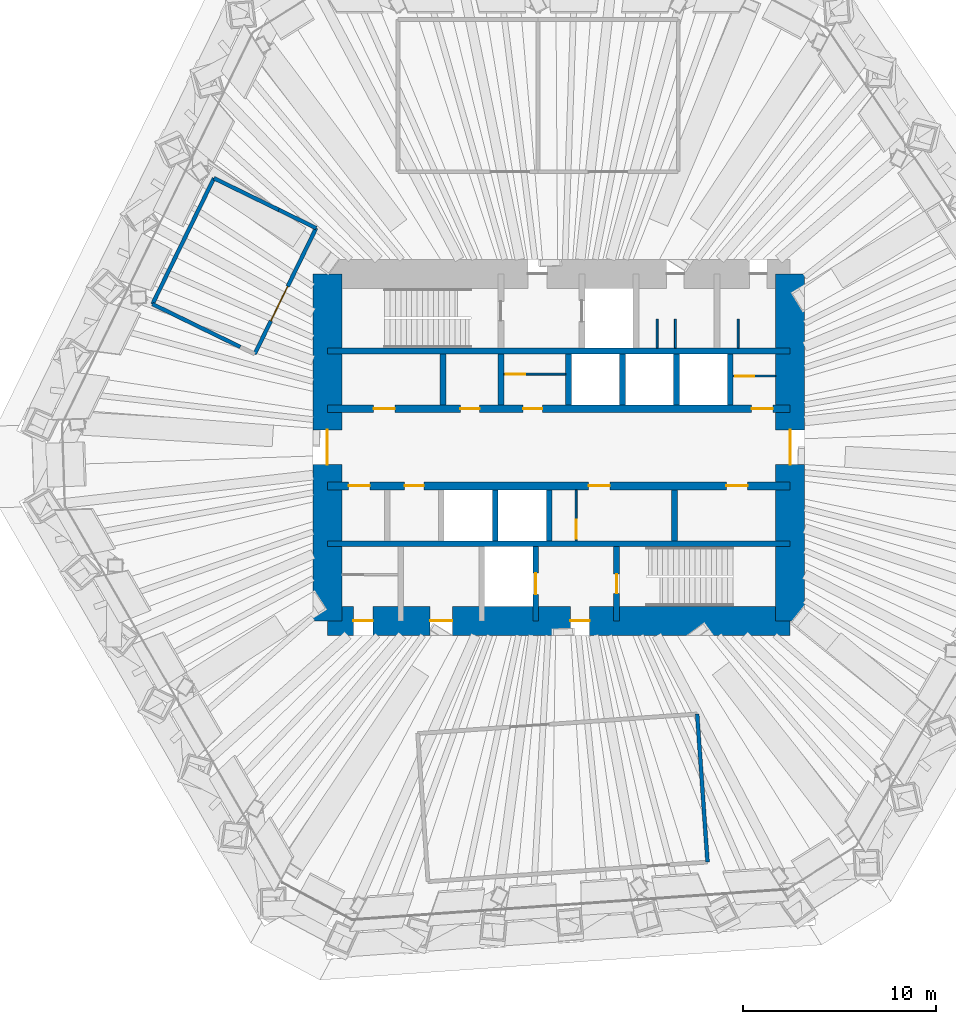
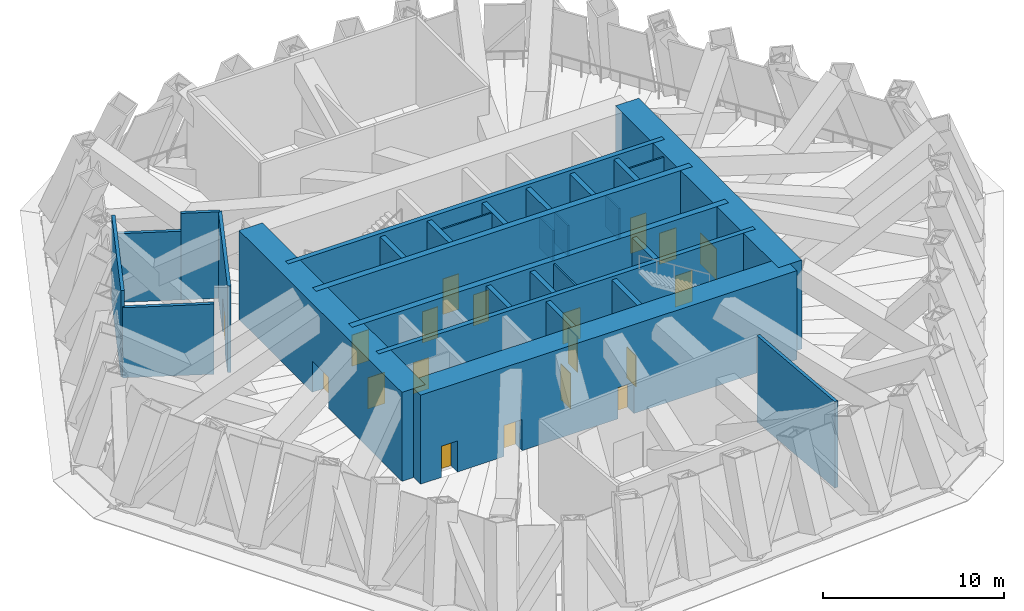
# One storey, part 7 of 12: 30 walls, 19 doors, 19 openings.
"""IFC4 building model written with IfcOpenShell, lengths in metres."""

from ifc_helpers import new_model, si_unit, direction, frame, frame_2d, origin, place, context, subcontext, project, spatial, rectangle, extrude, material, layer, layer_set, type_object, element, fill, save


model = new_model("IFC4")

# Units and contexts
model_context = context("Model", 3, precision=1e-05, world=origin(), true_north=direction((0.0, 1.0)))
body_context = subcontext(model_context, "Body", "Model", "MODEL_VIEW")
ifc_project = project(units=[si_unit("LENGTHUNIT", "METRE"), si_unit("AREAUNIT", "SQUARE_METRE"), si_unit("VOLUMEUNIT", "CUBIC_METRE"), si_unit("PLANEANGLEUNIT", "RADIAN"), si_unit("MASSUNIT", "GRAM", prefix="KILO")], contexts=[model_context])

# Site, building, storey
site_placement = place(None, origin())
site = spatial("IfcSite", under=ifc_project, at=site_placement, CompositionType="ELEMENT")
building_placement = place(site_placement, origin())
building = spatial("IfcBuilding", under=site, at=building_placement, Name="Qingtian Harvest Tower", CompositionType="ELEMENT")
storey_placement = place(building_placement, frame((0.0, 0.0, 174.39990234375)))
storey = spatial("IfcBuildingStorey", under=building, at=storey_placement, Name="L37", CompositionType="ELEMENT", Elevation=174.39990234375)

# Walls
ifc_material_1 = material(Name="Concrete fc' 70 MPa", Category="concrete")
ifc_layer_1 = layer(ifc_material_1, 0.300048828125)
ifc_layer_set_1 = layer_set([ifc_layer_1], Name="Core inner wall RC5 300")
wall_type_1 = type_object("IfcWallType", Name="Core inner wall RC5 300", PredefinedType="SHEAR", material=ifc_layer_set_1)
for number, where, z_axis, x_axis, name in (
    (1, (-12.0, 5.0, 0.0), (0.0, 0.0, 1.0), (1.0, 0.0, 0.0), "Core wall IN5 L37"),
    (2, (-12.0, -5.0, 0.0), (0.0, 0.0, 1.0), (1.0, 0.0, 0.0), "Core wall IS5 L37"),
):
    element("IfcWall", number, at=place(storey_placement, frame(where, z_axis=z_axis, x_axis=x_axis)), inside=storey, type_object=wall_type_1, Name=name, PredefinedType="SHEAR", context=body_context, shape_type="SweptSolid", body=[
        extrude(rectangle(XDim=24.0, YDim=0.300048828125, at=frame_2d((12.0, 0.0))), origin(), (0.0, 0.0, 1.0), 6.0),
    ])

# Wall, openings, doors
ifc_material_2 = material(Name="Concrete fc' 70 MPa", Category="concrete")
ifc_layer_2 = layer(ifc_material_2, 0.39990234375)
ifc_layer_set_2 = layer_set([ifc_layer_2], Name="Core inner web RC6 400")
wall_type_2 = type_object("IfcWallType", Name="Core inner web RC6 400", PredefinedType="SHEAR", material=ifc_layer_set_2)
wall_1_placement = place(storey_placement, frame((-12.0, 2.0, 0.0), z_axis=(0.0, 0.0, 1.0), x_axis=(1.0, 0.0, 0.0)))
wall_1 = element("IfcWall", 3, at=wall_1_placement, inside=storey, type_object=wall_type_2, Name="Core wall IN2 L37", PredefinedType="SHEAR", context=body_context, shape_type="SweptSolid", body=[
    extrude(rectangle(XDim=24.0, YDim=0.39990234375, at=frame_2d((12.0, 0.0))), origin(), (0.0, 0.0, 1.0), 6.0),
])
opening_1_placement = place(wall_1_placement, frame((2.39990234375, 0.0, 0.0)))
opening_1 = element("IfcOpeningElement", 4, at=opening_1_placement, cuts=wall_1, Name="Opening FD4", PredefinedType="OPENING", context=body_context, shape_type="SweptSolid", body=[
    extrude(rectangle(XDim=1.10009765625, YDim=2.10009765625, at=frame_2d((0.550048828125, 1.050048828125))), frame((0.0, 0.2099609375, 0.0), z_axis=(0.0, -1.0, 0.0), x_axis=(1.0, 0.0, 0.0)), (0.0, 0.0, 1.0), 0.419921875),
])
opening_2_placement = place(wall_1_placement, frame((22.0, 0.0, 0.0)))
opening_2 = element("IfcOpeningElement", 5, at=opening_2_placement, cuts=wall_1, Name="Opening FD4", PredefinedType="OPENING", context=body_context, shape_type="SweptSolid", body=[
    extrude(rectangle(XDim=1.10009765625, YDim=2.10009765625, at=frame_2d((0.550048828125, 1.050048828125))), frame((0.0, 0.2099609375, 0.0), z_axis=(0.0, -1.0, 0.0), x_axis=(1.0, 0.0, 0.0)), (0.0, 0.0, 1.0), 0.419921875),
])
opening_3_placement = place(wall_1_placement, frame((10.14990234375, 0.0, 0.0)))
opening_3 = element("IfcOpeningElement", 6, at=opening_3_placement, cuts=wall_1, Name="Opening FD1", PredefinedType="OPENING", context=body_context, shape_type="SweptSolid", body=[
    extrude(rectangle(XDim=1.0, YDim=2.10009765625, at=frame_2d((0.5, 1.050048828125))), frame((0.0, 0.2099609375, 0.0), z_axis=(0.0, -1.0, 0.0), x_axis=(1.0, 0.0, 0.0)), (0.0, 0.0, 1.0), 0.419921875),
])
opening_4_placement = place(wall_1_placement, frame((6.89990234375, 0.0, 0.0)))
opening_4 = element("IfcOpeningElement", 7, at=opening_4_placement, cuts=wall_1, Name="Opening FD1", PredefinedType="OPENING", context=body_context, shape_type="SweptSolid", body=[
    extrude(rectangle(XDim=1.0, YDim=2.10009765625, at=frame_2d((0.5, 1.050048828125))), frame((0.0, 0.2099609375, 0.0), z_axis=(0.0, -1.0, 0.0), x_axis=(1.0, 0.0, 0.0)), (0.0, 0.0, 1.0), 0.419921875),
])
ifc_material_3 = material(Name="Steel-faced door leaf", Category="steel")
door_type_1 = type_object("IfcDoorType", Name="Fire door FD1 single 1 HR", OperationType="SINGLE_SWING_LEFT", PredefinedType="DOOR", material=ifc_material_3)
door_1_placement = place(opening_3_placement, origin())
door_1 = element("IfcDoor", 8, at=door_1_placement, inside=storey, type_object=door_type_1, Name="STA door L37", OperationType="SINGLE_SWING_RIGHT", OverallHeight=2.10009765625, OverallWidth=1.0, PredefinedType="DOOR", context=body_context, shape_type="SweptSolid", body=[
    extrude(rectangle(XDim=1.0, YDim=2.10009765625, at=frame_2d((0.5, 1.050048828125))), frame((0.0, 0.02490234375, 0.0), z_axis=(0.0, -1.0, 0.0), x_axis=(1.0, 0.0, 0.0)), (0.0, 0.0, 1.0), 0.050048828125),
])
fill(opening_3, door_1)
door_2_placement = place(opening_4_placement, origin())
door_2 = element("IfcDoor", 9, at=door_2_placement, inside=storey, type_object=door_type_1, Name="Tool store door L37", OperationType="SINGLE_SWING_RIGHT", OverallHeight=2.10009765625, OverallWidth=1.0, PredefinedType="DOOR", context=body_context, shape_type="SweptSolid", body=[
    extrude(rectangle(XDim=1.0, YDim=2.10009765625, at=frame_2d((0.5, 1.050048828125))), frame((0.0, 0.02490234375, 0.0), z_axis=(0.0, -1.0, 0.0), x_axis=(1.0, 0.0, 0.0)), (0.0, 0.0, 1.0), 0.050048828125),
])
fill(opening_4, door_2)
ifc_material_4 = material(Name="Steel-faced door leaf", Category="steel")
door_type_2 = type_object("IfcDoorType", Name="Fire door FD4 single 2 HR", OperationType="SINGLE_SWING_LEFT", PredefinedType="DOOR", material=ifc_material_4)
door_3_placement = place(opening_1_placement, origin())
door_3 = element("IfcDoor", 10, at=door_3_placement, inside=storey, type_object=door_type_2, Name="RA door L37", OperationType="SINGLE_SWING_LEFT", OverallHeight=2.10009765625, OverallWidth=1.10009765625, PredefinedType="DOOR", context=body_context, shape_type="SweptSolid", body=[
    extrude(rectangle(XDim=1.10009765625, YDim=2.10009765625, at=frame_2d((0.550048828125, 1.050048828125))), frame((0.0, 0.02490234375, 0.0), z_axis=(0.0, -1.0, 0.0), x_axis=(1.0, 0.0, 0.0)), (0.0, 0.0, 1.0), 0.050048828125),
])
fill(opening_1, door_3)
door_4_placement = place(opening_2_placement, origin())
door_4 = element("IfcDoor", 11, at=door_4_placement, inside=storey, type_object=door_type_2, Name="AHU door L37", OperationType="SINGLE_SWING_LEFT", OverallHeight=2.10009765625, OverallWidth=1.10009765625, PredefinedType="DOOR", context=body_context, shape_type="SweptSolid", body=[
    extrude(rectangle(XDim=1.10009765625, YDim=2.10009765625, at=frame_2d((0.550048828125, 1.050048828125))), frame((0.0, 0.02490234375, 0.0), z_axis=(0.0, -1.0, 0.0), x_axis=(1.0, 0.0, 0.0)), (0.0, 0.0, 1.0), 0.050048828125),
])
fill(opening_2, door_4)

wall_2_placement = place(storey_placement, frame((-12.0, -2.0, 0.0), z_axis=(0.0, 0.0, 1.0), x_axis=(1.0, 0.0, 0.0)))
wall_2 = element("IfcWall", 12, at=wall_2_placement, inside=storey, type_object=wall_type_2, Name="Core wall IS2 L37", PredefinedType="SHEAR", context=body_context, shape_type="SweptSolid", body=[
    extrude(rectangle(XDim=24.0, YDim=0.39990234375, at=frame_2d((12.0, 0.0))), origin(), (0.0, 0.0, 1.0), 6.0),
])
opening_5_placement = place(wall_2_placement, frame((1.10009765625, 0.0, 0.0)))
opening_5 = element("IfcOpeningElement", 13, at=opening_5_placement, cuts=wall_2, Name="Opening FD4", PredefinedType="OPENING", context=body_context, shape_type="SweptSolid", body=[
    extrude(rectangle(XDim=1.10009765625, YDim=2.10009765625, at=frame_2d((0.550048828125, 1.050048828125))), frame((0.0, 0.2099609375, 0.0), z_axis=(0.0, -1.0, 0.0), x_axis=(1.0, 0.0, 0.0)), (0.0, 0.0, 1.0), 0.419921875),
])
opening_6_placement = place(wall_2_placement, frame((13.550048828125, 0.0, 0.0)))
opening_6 = element("IfcOpeningElement", 14, at=opening_6_placement, cuts=wall_2, Name="Opening FD4", PredefinedType="OPENING", context=body_context, shape_type="SweptSolid", body=[
    extrude(rectangle(XDim=1.10009765625, YDim=2.10009765625, at=frame_2d((0.550048828125, 1.050048828125))), frame((0.0, 0.2099609375, 0.0), z_axis=(0.0, -1.0, 0.0), x_axis=(1.0, 0.0, 0.0)), (0.0, 0.0, 1.0), 0.419921875),
])
opening_7_placement = place(wall_2_placement, frame((20.699951171875, 0.0, 0.0)))
opening_7 = element("IfcOpeningElement", 15, at=opening_7_placement, cuts=wall_2, Name="Opening FD4", PredefinedType="OPENING", context=body_context, shape_type="SweptSolid", body=[
    extrude(rectangle(XDim=1.10009765625, YDim=2.10009765625, at=frame_2d((0.550048828125, 1.050048828125))), frame((0.0, 0.2099609375, 0.0), z_axis=(0.0, -1.0, 0.0), x_axis=(1.0, 0.0, 0.0)), (0.0, 0.0, 1.0), 0.419921875),
])
opening_8_placement = place(wall_2_placement, frame((4.0, 0.0, 0.0)))
opening_8 = element("IfcOpeningElement", 16, at=opening_8_placement, cuts=wall_2, Name="Opening FD1", PredefinedType="OPENING", context=body_context, shape_type="SweptSolid", body=[
    extrude(rectangle(XDim=1.0, YDim=2.10009765625, at=frame_2d((0.5, 1.050048828125))), frame((0.0, 0.2099609375, 0.0), z_axis=(0.0, -1.0, 0.0), x_axis=(1.0, 0.0, 0.0)), (0.0, 0.0, 1.0), 0.419921875),
])
door_5_placement = place(opening_8_placement, origin())
door_5 = element("IfcDoor", 17, at=door_5_placement, inside=storey, type_object=door_type_1, Name="Spares store door L37", OperationType="SINGLE_SWING_RIGHT", OverallHeight=2.10009765625, OverallWidth=1.0, PredefinedType="DOOR", context=body_context, shape_type="SweptSolid", body=[
    extrude(rectangle(XDim=1.0, YDim=2.10009765625, at=frame_2d((0.5, 1.050048828125))), frame((0.0, 0.02490234375, 0.0), z_axis=(0.0, -1.0, 0.0), x_axis=(1.0, 0.0, 0.0)), (0.0, 0.0, 1.0), 0.050048828125),
])
fill(opening_8, door_5)
door_6_placement = place(opening_5_placement, origin())
door_6 = element("IfcDoor", 18, at=door_6_placement, inside=storey, type_object=door_type_2, Name="RB door L37", OperationType="SINGLE_SWING_LEFT", OverallHeight=2.10009765625, OverallWidth=1.10009765625, PredefinedType="DOOR", context=body_context, shape_type="SweptSolid", body=[
    extrude(rectangle(XDim=1.10009765625, YDim=2.10009765625, at=frame_2d((0.550048828125, 1.050048828125))), frame((0.0, 0.02490234375, 0.0), z_axis=(0.0, -1.0, 0.0), x_axis=(1.0, 0.0, 0.0)), (0.0, 0.0, 1.0), 0.050048828125),
])
fill(opening_5, door_6)
door_7_placement = place(opening_6_placement, origin())
door_7 = element("IfcDoor", 19, at=door_7_placement, inside=storey, type_object=door_type_2, Name="ELEC door L37", OperationType="SINGLE_SWING_LEFT", OverallHeight=2.10009765625, OverallWidth=1.10009765625, PredefinedType="DOOR", context=body_context, shape_type="SweptSolid", body=[
    extrude(rectangle(XDim=1.10009765625, YDim=2.10009765625, at=frame_2d((0.550048828125, 1.050048828125))), frame((0.0, 0.02490234375, 0.0), z_axis=(0.0, -1.0, 0.0), x_axis=(1.0, 0.0, 0.0)), (0.0, 0.0, 1.0), 0.050048828125),
])
fill(opening_6, door_7)
door_8_placement = place(opening_7_placement, origin())
door_8 = element("IfcDoor", 20, at=door_8_placement, inside=storey, type_object=door_type_2, Name="DUCT door L37", OperationType="SINGLE_SWING_RIGHT", OverallHeight=2.10009765625, OverallWidth=1.10009765625, PredefinedType="DOOR", context=body_context, shape_type="SweptSolid", body=[
    extrude(rectangle(XDim=1.10009765625, YDim=2.10009765625, at=frame_2d((0.550048828125, 1.050048828125))), frame((0.0, 0.02490234375, 0.0), z_axis=(0.0, -1.0, 0.0), x_axis=(1.0, 0.0, 0.0)), (0.0, 0.0, 1.0), 0.050048828125),
])
fill(opening_7, door_8)

# Walls
ifc_material_5 = material(Name="Precast concrete shaft panel", Category="concrete")
ifc_layer_3 = layer(ifc_material_5, 0.300048828125)
ifc_layer_set_3 = layer_set([ifc_layer_3], Name="Core shaft partition SW1 300")
wall_type_3 = type_object("IfcWallType", Name="Core shaft partition SW1 300", PredefinedType="PARTITIONING", material=ifc_layer_set_3)
for number, where, z_axis, x_axis, name in (
    (21, (-6.0, 2.199951171875, 0.0), (0.0, 0.0, 1.0), (0.0, 1.0, 0.0), "Core shaft partition XA1 L37"),
    (22, (-3.0, 2.199951171875, 0.0), (0.0, 0.0, 1.0), (0.0, 1.0, 0.0), "Core shaft partition XA2 L37"),
    (23, (0.5, 2.199951171875, 0.0), (0.0, 0.0, 1.0), (0.0, 1.0, 0.0), "Core shaft partition XA3 L37"),
    (24, (3.300048828125, 2.199951171875, 0.0), (0.0, 0.0, 1.0), (0.0, 1.0, 0.0), "Core shaft partition XA4 L37"),
    (25, (6.10009765625, 2.199951171875, 0.0), (0.0, 0.0, 1.0), (0.0, 1.0, 0.0), "Core shaft partition XA5 L37"),
    (26, (8.89990234375, 2.199951171875, 0.0), (0.0, 0.0, 1.0), (0.0, 1.0, 0.0), "Core shaft partition XA6 L37"),
    (27, (-3.300048828125, -4.85009765625, 0.0), (0.0, 0.0, 1.0), (0.0, 1.0, 0.0), "Core shaft partition XB3 L37"),
    (28, (-0.5, -4.85009765625, 0.0), (0.0, 0.0, 1.0), (0.0, 1.0, 0.0), "Core shaft partition XB4 L37"),
    (29, (6.0, -4.85009765625, 0.0), (0.0, 0.0, 1.0), (0.0, 1.0, 0.0), "Core shaft partition XB5 L37"),
):
    element("IfcWall", number, at=place(storey_placement, frame(where, z_axis=z_axis, x_axis=x_axis)), inside=storey, type_object=wall_type_3, Name=name, PredefinedType="PARTITIONING", context=body_context, shape_type="SweptSolid", body=[
        extrude(rectangle(XDim=2.650146484375, YDim=0.300048828125, at=frame_2d((1.3251953125, 0.0))), origin(), (0.0, 0.0, 1.0), 5.780029296875),
    ])

# Wall, opening, door
wall_3_placement = place(storey_placement, frame((-1.199951171875, -9.0, 0.0), z_axis=(0.0, 0.0, 1.0), x_axis=(0.0, 1.0, 0.0)))
wall_3 = element("IfcWall", 30, at=wall_3_placement, inside=storey, type_object=wall_type_3, Name="Core shaft partition XS3 L37", PredefinedType="PARTITIONING", context=body_context, shape_type="SweptSolid", body=[
    extrude(rectangle(XDim=3.85009765625, YDim=0.300048828125, at=frame_2d((1.925048828125, 0.0))), origin(), (0.0, 0.0, 1.0), 5.780029296875),
])
opening_9_placement = place(wall_3_placement, frame((1.375, 0.0, 0.0)))
opening_9 = element("IfcOpeningElement", 31, at=opening_9_placement, cuts=wall_3, Name="Opening LD1", PredefinedType="OPENING", context=body_context, shape_type="SweptSolid", body=[
    extrude(rectangle(XDim=1.10009765625, YDim=2.39990234375, at=frame_2d((0.550048828125, 1.199951171875))), frame((0.0, 0.159912109375, 0.0), z_axis=(0.0, -1.0, 0.0), x_axis=(1.0, 0.0, 0.0)), (0.0, 0.0, 1.0), 0.320068359375),
])
ifc_material_6 = material(Name="Stainless steel lift landing door", Category="steel")
door_type_3 = type_object("IfcDoorType", Name="Lift landing door LD1 1 HR", OperationType="DOUBLE_DOOR_SLIDING", PredefinedType="DOOR", material=ifc_material_6)
door_9_placement = place(opening_9_placement, origin())
door_9 = element("IfcDoor", 32, at=door_9_placement, inside=storey, type_object=door_type_3, Name="FL2 landing door L37", OperationType="DOUBLE_DOOR_SLIDING", OverallHeight=2.39990234375, OverallWidth=1.10009765625, PredefinedType="DOOR", context=body_context, shape_type="SweptSolid", body=[
    extrude(rectangle(XDim=1.10009765625, YDim=2.39990234375, at=frame_2d((0.550048828125, 1.199951171875))), frame((0.0, 0.02490234375, 0.0), z_axis=(0.0, -1.0, 0.0), x_axis=(1.0, 0.0, 0.0)), (0.0, 0.0, 1.0), 0.050048828125),
])
fill(opening_9, door_9)

wall_4_placement = place(storey_placement, frame((3.0, -9.0, 0.0), z_axis=(0.0, 0.0, 1.0), x_axis=(0.0, 1.0, 0.0)))
wall_4 = element("IfcWall", 33, at=wall_4_placement, inside=storey, type_object=wall_type_3, Name="Core shaft partition XS4 L37", PredefinedType="PARTITIONING", context=body_context, shape_type="SweptSolid", body=[
    extrude(rectangle(XDim=3.85009765625, YDim=0.300048828125, at=frame_2d((1.925048828125, 0.0))), origin(), (0.0, 0.0, 1.0), 5.780029296875),
])
opening_10_placement = place(wall_4_placement, frame((1.425048828125, 0.0, 0.0)))
opening_10 = element("IfcOpeningElement", 34, at=opening_10_placement, cuts=wall_4, Name="Opening FD1", PredefinedType="OPENING", context=body_context, shape_type="SweptSolid", body=[
    extrude(rectangle(XDim=1.0, YDim=2.10009765625, at=frame_2d((0.5, 1.050048828125))), frame((0.0, 0.159912109375, 0.0), z_axis=(0.0, -1.0, 0.0), x_axis=(1.0, 0.0, 0.0)), (0.0, 0.0, 1.0), 0.320068359375),
])
door_10_placement = place(opening_10_placement, origin())
door_10 = element("IfcDoor", 35, at=door_10_placement, inside=storey, type_object=door_type_1, Name="S2 door L37", OperationType="SINGLE_SWING_LEFT", OverallHeight=2.10009765625, OverallWidth=1.0, PredefinedType="DOOR", context=body_context, shape_type="SweptSolid", body=[
    extrude(rectangle(XDim=1.0, YDim=2.10009765625, at=frame_2d((0.5, 1.050048828125))), frame((0.0, 0.02490234375, 0.0), z_axis=(0.0, -1.0, 0.0), x_axis=(1.0, 0.0, 0.0)), (0.0, 0.0, 1.0), 0.050048828125),
])
fill(opening_10, door_10)

# Wall, openings, doors
ifc_material_7 = material(Name="Concrete fc' 70 MPa", Category="concrete")
ifc_layer_4 = layer(ifc_material_7, 1.5)
ifc_layer_set_4 = layer_set([ifc_layer_4], Name="Core wall RC1 1500")
wall_type_4 = type_object("IfcWallType", Name="Core wall RC1 1500", PredefinedType="SHEAR", material=ifc_layer_set_4)
wall_5_placement = place(storey_placement, frame((-12.0, -9.0, 0.0), z_axis=(0.0, 0.0, 1.0), x_axis=(1.0, 0.0, 0.0)))
wall_5 = element("IfcWall", 36, at=wall_5_placement, inside=storey, type_object=wall_type_4, Name="Core wall CS L37", PredefinedType="SHEAR", context=body_context, shape_type="SweptSolid", body=[
    extrude(rectangle(XDim=24.0, YDim=1.5, at=frame_2d((12.0, 0.0))), origin(), (0.0, 0.0, 1.0), 6.0),
])
opening_11_placement = place(wall_5_placement, frame((1.35009765625, 0.0, 0.0)))
opening_11 = element("IfcOpeningElement", 37, at=opening_11_placement, cuts=wall_5, Name="Opening FD1", PredefinedType="OPENING", context=body_context, shape_type="SweptSolid", body=[
    extrude(rectangle(XDim=1.0, YDim=2.10009765625, at=frame_2d((0.5, 1.050048828125))), frame((0.0, 0.760009765625, 0.0), z_axis=(0.0, -1.0, 0.0), x_axis=(1.0, 0.0, 0.0)), (0.0, 0.0, 1.0), 1.52001953125),
])
opening_12_placement = place(wall_5_placement, frame((5.324951171875, 0.0, 0.0)))
opening_12 = element("IfcOpeningElement", 38, at=opening_12_placement, cuts=wall_5, Name="Opening AD1", PredefinedType="OPENING", context=body_context, shape_type="SweptSolid", body=[
    extrude(rectangle(XDim=1.14990234375, YDim=2.10009765625, at=frame_2d((0.574951171875, 1.050048828125))), frame((0.0, 0.760009765625, 0.0), z_axis=(0.0, -1.0, 0.0), x_axis=(1.0, 0.0, 0.0)), (0.0, 0.0, 1.0), 1.52001953125),
])
opening_13_placement = place(wall_5_placement, frame((12.60009765625, 0.0, 0.0)))
opening_13 = element("IfcOpeningElement", 39, at=opening_13_placement, cuts=wall_5, Name="Opening FD1", PredefinedType="OPENING", context=body_context, shape_type="SweptSolid", body=[
    extrude(rectangle(XDim=1.0, YDim=2.10009765625, at=frame_2d((0.5, 1.050048828125))), frame((0.0, 0.760009765625, 0.0), z_axis=(0.0, -1.0, 0.0), x_axis=(1.0, 0.0, 0.0)), (0.0, 0.0, 1.0), 1.52001953125),
])
ifc_material_8 = material(Name="Laminated timber door leaf", Category="wood")
door_type_4 = type_object("IfcDoorType", Name="Accessible WC door AD1 single", OperationType="SINGLE_SWING_LEFT", PredefinedType="DOOR", material=ifc_material_8)
door_11_placement = place(opening_12_placement, origin())
door_11 = element("IfcDoor", 40, at=door_11_placement, inside=storey, type_object=door_type_4, Name="AWC door L37", OperationType="SINGLE_SWING_LEFT", OverallHeight=2.10009765625, OverallWidth=1.14990234375, PredefinedType="DOOR", context=body_context, shape_type="SweptSolid", body=[
    extrude(rectangle(XDim=1.14990234375, YDim=2.10009765625, at=frame_2d((0.574951171875, 1.050048828125))), frame((0.0, 0.02490234375, 0.0), z_axis=(0.0, -1.0, 0.0), x_axis=(1.0, 0.0, 0.0)), (0.0, 0.0, 1.0), 0.050048828125),
])
fill(opening_12, door_11)
door_12_placement = place(opening_11_placement, origin())
door_12 = element("IfcDoor", 41, at=door_12_placement, inside=storey, type_object=door_type_1, Name="CLN door L37", OperationType="SINGLE_SWING_RIGHT", OverallHeight=2.10009765625, OverallWidth=1.0, PredefinedType="DOOR", context=body_context, shape_type="SweptSolid", body=[
    extrude(rectangle(XDim=1.0, YDim=2.10009765625, at=frame_2d((0.5, 1.050048828125))), frame((0.0, 0.02490234375, 0.0), z_axis=(0.0, -1.0, 0.0), x_axis=(1.0, 0.0, 0.0)), (0.0, 0.0, 1.0), 0.050048828125),
])
fill(opening_11, door_12)
door_13_placement = place(opening_13_placement, origin())
door_13 = element("IfcDoor", 42, at=door_13_placement, inside=storey, type_object=door_type_1, Name="V2 door L37", OperationType="SINGLE_SWING_RIGHT", OverallHeight=2.10009765625, OverallWidth=1.0, PredefinedType="DOOR", context=body_context, shape_type="SweptSolid", body=[
    extrude(rectangle(XDim=1.0, YDim=2.10009765625, at=frame_2d((0.5, 1.050048828125))), frame((0.0, 0.02490234375, 0.0), z_axis=(0.0, -1.0, 0.0), x_axis=(1.0, 0.0, 0.0)), (0.0, 0.0, 1.0), 0.050048828125),
])
fill(opening_13, door_13)

# Wall, opening, door
wall_6_placement = place(storey_placement, frame((12.0, -9.0, 0.0), z_axis=(0.0, 0.0, 1.0), x_axis=(0.0, 1.0, 0.0)))
wall_6 = element("IfcWall", 43, at=wall_6_placement, inside=storey, type_object=wall_type_4, Name="Core wall CE L37", PredefinedType="SHEAR", context=body_context, shape_type="SweptSolid", body=[
    extrude(rectangle(XDim=18.0, YDim=1.5, at=frame_2d((9.0, 0.0))), origin(), (0.0, 0.0, 1.0), 6.0),
])
opening_14_placement = place(wall_6_placement, frame((8.10009765625, 0.0, 0.0)))
opening_14 = element("IfcOpeningElement", 44, at=opening_14_placement, cuts=wall_6, Name="Opening FD2", PredefinedType="OPENING", context=body_context, shape_type="SweptSolid", body=[
    extrude(rectangle(XDim=1.800048828125, YDim=2.10009765625, at=frame_2d((0.89990234375, 1.050048828125))), frame((0.0, 0.760009765625, 0.0), z_axis=(0.0, -1.0, 0.0), x_axis=(1.0, 0.0, 0.0)), (0.0, 0.0, 1.0), 1.52001953125),
])
ifc_material_9 = material(Name="Steel-faced door leaf", Category="steel")
door_type_5 = type_object("IfcDoorType", Name="Fire door FD2 double 1 HR", OperationType="DOUBLE_DOOR_DOUBLE_SWING", PredefinedType="DOOR", material=ifc_material_9)
door_14_placement = place(opening_14_placement, origin())
door_14 = element("IfcDoor", 45, at=door_14_placement, inside=storey, type_object=door_type_5, Name="LOBBY-E door L37", OperationType="DOUBLE_DOOR_DOUBLE_SWING", OverallHeight=2.10009765625, OverallWidth=1.800048828125, PredefinedType="DOOR", context=body_context, shape_type="SweptSolid", body=[
    extrude(rectangle(XDim=1.800048828125, YDim=2.10009765625, at=frame_2d((0.89990234375, 1.050048828125))), frame((0.0, 0.02490234375, 0.0), z_axis=(0.0, -1.0, 0.0), x_axis=(1.0, 0.0, 0.0)), (0.0, 0.0, 1.0), 0.050048828125),
])
fill(opening_14, door_14)

wall_7_placement = place(storey_placement, frame((-12.0, -9.0, 0.0), z_axis=(0.0, 0.0, 1.0), x_axis=(0.0, 1.0, 0.0)))
wall_7 = element("IfcWall", 46, at=wall_7_placement, inside=storey, type_object=wall_type_4, Name="Core wall CW L37", PredefinedType="SHEAR", context=body_context, shape_type="SweptSolid", body=[
    extrude(rectangle(XDim=18.0, YDim=1.5, at=frame_2d((9.0, 0.0))), origin(), (0.0, 0.0, 1.0), 6.0),
])
opening_15_placement = place(wall_7_placement, frame((8.10009765625, 0.0, 0.0)))
opening_15 = element("IfcOpeningElement", 47, at=opening_15_placement, cuts=wall_7, Name="Opening FD2", PredefinedType="OPENING", context=body_context, shape_type="SweptSolid", body=[
    extrude(rectangle(XDim=1.800048828125, YDim=2.10009765625, at=frame_2d((0.89990234375, 1.050048828125))), frame((0.0, 0.760009765625, 0.0), z_axis=(0.0, -1.0, 0.0), x_axis=(1.0, 0.0, 0.0)), (0.0, 0.0, 1.0), 1.52001953125),
])
door_15_placement = place(opening_15_placement, origin())
door_15 = element("IfcDoor", 48, at=door_15_placement, inside=storey, type_object=door_type_5, Name="LOBBY-W door L37", OperationType="DOUBLE_DOOR_DOUBLE_SWING", OverallHeight=2.10009765625, OverallWidth=1.800048828125, PredefinedType="DOOR", context=body_context, shape_type="SweptSolid", body=[
    extrude(rectangle(XDim=1.800048828125, YDim=2.10009765625, at=frame_2d((0.89990234375, 1.050048828125))), frame((0.0, 0.02490234375, 0.0), z_axis=(0.0, -1.0, 0.0), x_axis=(1.0, 0.0, 0.0)), (0.0, 0.0, 1.0), 0.050048828125),
])
fill(opening_15, door_15)

# Walls
ifc_material_10 = material(Name="Blockwork fire wall", Category="masonry")
ifc_layer_5 = layer(ifc_material_10, 0.199951171875)
ifc_layer_set_5 = layer_set([ifc_layer_5], Name="Fire partition FW1 200")
wall_type_5 = type_object("IfcWallType", Name="Fire partition FW1 200", PredefinedType="PARTITIONING", material=ifc_layer_set_5)
wall_8_placement = place(storey_placement, frame((7.71533203125, -21.51416015625, 0.0), z_axis=(0.0, 0.0, 1.0), x_axis=(-0.06975529502, 0.997564132684, 0.0)))
element("IfcWall", 49, at=wall_8_placement, inside=storey, type_object=wall_type_5, Name="Mechanical plant room wall L37", PredefinedType="PARTITIONING", context=body_context, shape_type="SweptSolid", body=[
    extrude(rectangle(XDim=7.699951171875, YDim=0.199951171875, at=frame_2d((3.85009765625, 0.0))), origin(), (0.0, 0.0, 1.0), 5.830078125),
])
wall_9_placement = place(storey_placement, frame((-21.076416015625, 7.428955078125, 0.0), z_axis=(0.0, 0.0, 1.0), x_axis=(0.898798552874, -0.438361906821, 0.0)))
element("IfcWall", 50, at=wall_9_placement, inside=storey, type_object=wall_type_5, Name="Water tank room wall L37", PredefinedType="PARTITIONING", context=body_context, shape_type="SweptSolid", body=[
    extrude(rectangle(XDim=5.0654296875, YDim=0.199951171875, at=frame_2d((2.53271484375, 0.0))), origin(), (0.0, 0.0, 1.0), 4.72998046875),
])
wall_10_placement = place(storey_placement, frame((-17.890625, 13.96044921875, 0.0), z_axis=(0.0, 0.0, 1.0), x_axis=(0.898808707495, -0.438341085607, 0.0)))
element("IfcWall", 51, at=wall_10_placement, inside=storey, type_object=wall_type_5, Name="Water tank room wall L37", PredefinedType="PARTITIONING", context=body_context, shape_type="SweptSolid", body=[
    extrude(rectangle(XDim=3.7294921875, YDim=0.199951171875, at=frame_2d((1.86474609375, 0.0))), origin(), (0.0, 0.0, 1.0), 4.630126953125),
])

# Wall, opening, door
wall_11_placement = place(storey_placement, frame((-15.7734375, 4.842529296875, 0.0), z_axis=(0.0, 0.0, 1.0), x_axis=(0.438349498419, 0.898804604592, 0.0)))
wall_11 = element("IfcWall", 52, at=wall_11_placement, inside=storey, type_object=wall_type_5, Name="Water tank room wall L37", PredefinedType="PARTITIONING", context=body_context, shape_type="SweptSolid", body=[
    extrude(rectangle(XDim=7.26708984375, YDim=0.199951171875, at=frame_2d((3.633544921875, 0.0))), origin(), (0.0, 0.0, 1.0), 5.830078125),
])
opening_16_placement = place(wall_11_placement, frame((1.90673828125, 0.0, 0.0)))
opening_16 = element("IfcOpeningElement", 53, at=opening_16_placement, cuts=wall_11, Name="Opening FD3", PredefinedType="OPENING", context=body_context, shape_type="SweptSolid", body=[
    extrude(rectangle(XDim=2.0, YDim=2.39990234375, at=frame_2d((1.0, 1.199951171875))), frame((0.0, 0.10986328125, 0.0), z_axis=(0.0, -1.0, 0.0), x_axis=(1.0, 0.0, 0.0)), (0.0, 0.0, 1.0), 0.219970703125),
])
ifc_material_11 = material(Name="Steel-faced door leaf", Category="steel")
door_type_6 = type_object("IfcDoorType", Name="Fire door FD3 double 2 HR", OperationType="DOUBLE_DOOR_DOUBLE_SWING", PredefinedType="DOOR", material=ifc_material_11)
door_16_placement = place(opening_16_placement, origin())
door_16 = element("IfcDoor", 54, at=door_16_placement, inside=storey, type_object=door_type_6, Name="Water tank room door L37", OperationType="DOUBLE_DOOR_DOUBLE_SWING", OverallHeight=2.39990234375, OverallWidth=2.0, PredefinedType="DOOR", context=body_context, shape_type="SweptSolid", body=[
    extrude(rectangle(XDim=2.0, YDim=2.39990234375, at=frame_2d((1.0, 1.199951171875))), frame((0.0, 0.02490234375, 0.0), z_axis=(0.0, -1.0, 0.0), x_axis=(1.0, 0.0, 0.0)), (0.0, 0.0, 1.0), 0.050048828125),
])
fill(opening_16, door_16)

# Walls
wall_12_placement = place(storey_placement, frame((-21.076416015625, 7.428955078125, 0.0), z_axis=(0.0, 0.0, 1.0), x_axis=(0.438389874604, 0.898784911892, 0.0)))
element("IfcWall", 55, at=wall_12_placement, inside=storey, type_object=wall_type_5, Name="Water tank room outer wall L37", PredefinedType="PARTITIONING", context=body_context, shape_type="SweptSolid", body=[
    extrude(rectangle(XDim=7.26708984375, YDim=0.199951171875, at=frame_2d((3.633544921875, 0.0))), origin(), (0.0, 0.0, 1.0), 5.830078125),
])
wall_13_placement = place(storey_placement, frame((-14.53857421875, 12.32568359375, 0.0), z_axis=(0.0, 0.0, 1.0), x_axis=(0.89879330979, -0.438372656853, 0.0)))
element("IfcWall", 56, at=wall_13_placement, inside=storey, type_object=wall_type_5, Name="Water tank room wall L37", PredefinedType="PARTITIONING", context=body_context, shape_type="SweptSolid", body=[
    extrude(rectangle(XDim=2.17041015625, YDim=0.199951171875, at=frame_2d((1.085205078125, 0.0))), origin(), (0.0, 0.0, 1.0), 5.830078125),
])

# Wall, opening, door
ifc_material_12 = material(Name="Concrete block partition", Category="concrete")
ifc_layer_6 = layer(ifc_material_12, 0.10009765625)
ifc_layer_set_6 = layer_set([ifc_layer_6], Name="Store partition PT3 100")
wall_type_6 = type_object("IfcWallType", Name="Store partition PT3 100", PredefinedType="PARTITIONING", material=ifc_layer_set_6)
wall_14_placement = place(storey_placement, frame((-2.85009765625, 3.800048828125, 0.0), z_axis=(0.0, 0.0, 1.0), x_axis=(1.0, 0.0, 0.0)))
wall_14 = element("IfcWall", 57, at=wall_14_placement, inside=storey, type_object=wall_type_6, Name="Tool store wall L37", PredefinedType="PARTITIONING", context=body_context, shape_type="SweptSolid", body=[
    extrude(rectangle(XDim=3.2001953125, YDim=0.10009765625, at=frame_2d((1.60009765625, 0.0))), origin(), (0.0, 0.0, 1.0), 5.780029296875),
])
opening_17_placement = place(wall_14_placement, frame((0.10009765625, 0.0, 0.0)))
opening_17 = element("IfcOpeningElement", 58, at=opening_17_placement, cuts=wall_14, Name="Opening D2", PredefinedType="OPENING", context=body_context, shape_type="SweptSolid", body=[
    extrude(rectangle(XDim=1.0, YDim=2.39990234375, at=frame_2d((0.5, 1.199951171875))), frame((0.0, 0.06005859375, 0.0), z_axis=(0.0, -1.0, 0.0), x_axis=(1.0, 0.0, 0.0)), (0.0, 0.0, 1.0), 0.1201171875),
])
ifc_material_13 = material(Name="Laminated timber door leaf", Category="wood")
door_type_7 = type_object("IfcDoorType", Name="Room door D2 single", OperationType="SINGLE_SWING_LEFT", PredefinedType="DOOR", material=ifc_material_13)
door_17_placement = place(opening_17_placement, origin())
door_17 = element("IfcDoor", 59, at=door_17_placement, inside=storey, type_object=door_type_7, Name="Tool store door L37", OperationType="SINGLE_SWING_LEFT", OverallHeight=2.39990234375, OverallWidth=1.0, PredefinedType="DOOR", context=body_context, shape_type="SweptSolid", body=[
    extrude(rectangle(XDim=1.0, YDim=2.39990234375, at=frame_2d((0.5, 1.199951171875))), frame((0.0, 0.02490234375, 0.0), z_axis=(0.0, -1.0, 0.0), x_axis=(1.0, 0.0, 0.0)), (0.0, 0.0, 1.0), 0.050048828125),
])
fill(opening_17, door_17)

wall_15_placement = place(storey_placement, frame((0.89990234375, -4.85009765625, 0.0), z_axis=(0.0, 0.0, 1.0), x_axis=(0.0, 1.0, 0.0)))
wall_15 = element("IfcWall", 60, at=wall_15_placement, inside=storey, type_object=wall_type_6, Name="Switchgear room wall L37", PredefinedType="PARTITIONING", context=body_context, shape_type="SweptSolid", body=[
    extrude(rectangle(XDim=2.650146484375, YDim=0.10009765625, at=frame_2d((1.3251953125, 0.0))), origin(), (0.0, 0.0, 1.0), 5.780029296875),
])
opening_18_placement = place(wall_15_placement, frame((0.10009765625, 0.0, 0.0)))
opening_18 = element("IfcOpeningElement", 61, at=opening_18_placement, cuts=wall_15, Name="Opening D2", PredefinedType="OPENING", context=body_context, shape_type="SweptSolid", body=[
    extrude(rectangle(XDim=1.0, YDim=2.39990234375, at=frame_2d((0.5, 1.199951171875))), frame((0.0, 0.06005859375, 0.0), z_axis=(0.0, -1.0, 0.0), x_axis=(1.0, 0.0, 0.0)), (0.0, 0.0, 1.0), 0.1201171875),
])
door_18_placement = place(opening_18_placement, origin())
door_18 = element("IfcDoor", 62, at=door_18_placement, inside=storey, type_object=door_type_7, Name="Switchgear room door L37", OperationType="SINGLE_SWING_LEFT", OverallHeight=2.39990234375, OverallWidth=1.0, PredefinedType="DOOR", context=body_context, shape_type="SweptSolid", body=[
    extrude(rectangle(XDim=1.0, YDim=2.39990234375, at=frame_2d((0.5, 1.199951171875))), frame((0.0, 0.02490234375, 0.0), z_axis=(0.0, -1.0, 0.0), x_axis=(1.0, 0.0, 0.0)), (0.0, 0.0, 1.0), 0.050048828125),
])
fill(opening_18, door_18)

wall_16_placement = place(storey_placement, frame((9.050048828125, 3.699951171875, 0.0), z_axis=(0.0, 0.0, 1.0), x_axis=(1.0, 0.0, 0.0)))
wall_16 = element("IfcWall", 63, at=wall_16_placement, inside=storey, type_object=wall_type_6, Name="Filter plant room wall L37", PredefinedType="PARTITIONING", context=body_context, shape_type="SweptSolid", body=[
    extrude(rectangle(XDim=2.199951171875, YDim=0.10009765625, at=frame_2d((1.10009765625, 0.0))), origin(), (0.0, 0.0, 1.0), 5.780029296875),
])
opening_19_placement = place(wall_16_placement, frame((0.10009765625, 0.0, 0.0)))
opening_19 = element("IfcOpeningElement", 64, at=opening_19_placement, cuts=wall_16, Name="Opening D2", PredefinedType="OPENING", context=body_context, shape_type="SweptSolid", body=[
    extrude(rectangle(XDim=1.0, YDim=2.39990234375, at=frame_2d((0.5, 1.199951171875))), frame((0.0, 0.06005859375, 0.0), z_axis=(0.0, -1.0, 0.0), x_axis=(1.0, 0.0, 0.0)), (0.0, 0.0, 1.0), 0.1201171875),
])
door_19_placement = place(opening_19_placement, origin())
door_19 = element("IfcDoor", 65, at=door_19_placement, inside=storey, type_object=door_type_7, Name="Filter plant room door L37", OperationType="SINGLE_SWING_RIGHT", OverallHeight=2.39990234375, OverallWidth=1.0, PredefinedType="DOOR", context=body_context, shape_type="SweptSolid", body=[
    extrude(rectangle(XDim=1.0, YDim=2.39990234375, at=frame_2d((0.5, 1.199951171875))), frame((0.0, 0.02490234375, 0.0), z_axis=(0.0, -1.0, 0.0), x_axis=(1.0, 0.0, 0.0)), (0.0, 0.0, 1.0), 0.050048828125),
])
fill(opening_19, door_19)

# Walls
ifc_material_14 = material(Name="Compact laminate cubicle partition", Category="plastic")
ifc_layer_7 = layer(ifc_material_14, 0.10009765625)
ifc_layer_set_7 = layer_set([ifc_layer_7], Name="WC cubicle partition WP1 100")
wall_type_7 = type_object("IfcWallType", Name="WC cubicle partition WP1 100", PredefinedType="PARTITIONING", material=ifc_layer_set_7)
for number, where, z_axis, x_axis, name in (
    (66, (5.10009765625, 5.14990234375, 0.0), (0.0, 0.0, 1.0), (0.0, 1.0, 0.0), "WC cubicle partition WCM L37"),
    (67, (6.050048828125, 5.14990234375, 0.0), (0.0, 0.0, 1.0), (0.0, 1.0, 0.0), "WC cubicle partition WCM L37"),
    (68, (9.300048828125, 5.14990234375, 0.0), (0.0, 0.0, 1.0), (0.0, 1.0, 0.0), "WC cubicle partition WCF L37"),
):
    element("IfcWall", number, at=place(storey_placement, frame(where, z_axis=z_axis, x_axis=x_axis)), inside=storey, type_object=wall_type_7, Name=name, PredefinedType="PARTITIONING", context=body_context, shape_type="SweptSolid", body=[
        extrude(rectangle(XDim=1.5, YDim=0.10009765625, at=frame_2d((0.75, 0.0))), origin(), (0.0, 0.0, 1.0), 2.10009765625),
    ])

save(model, "model.ifc")
